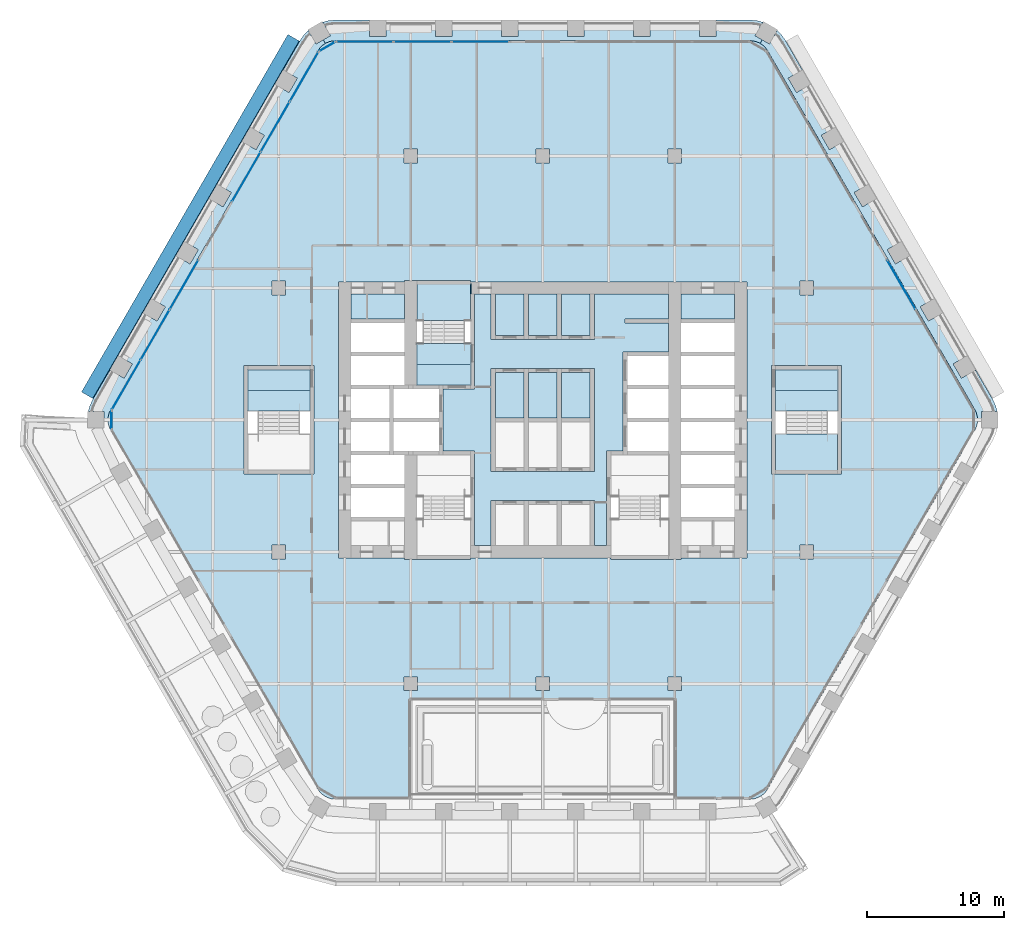
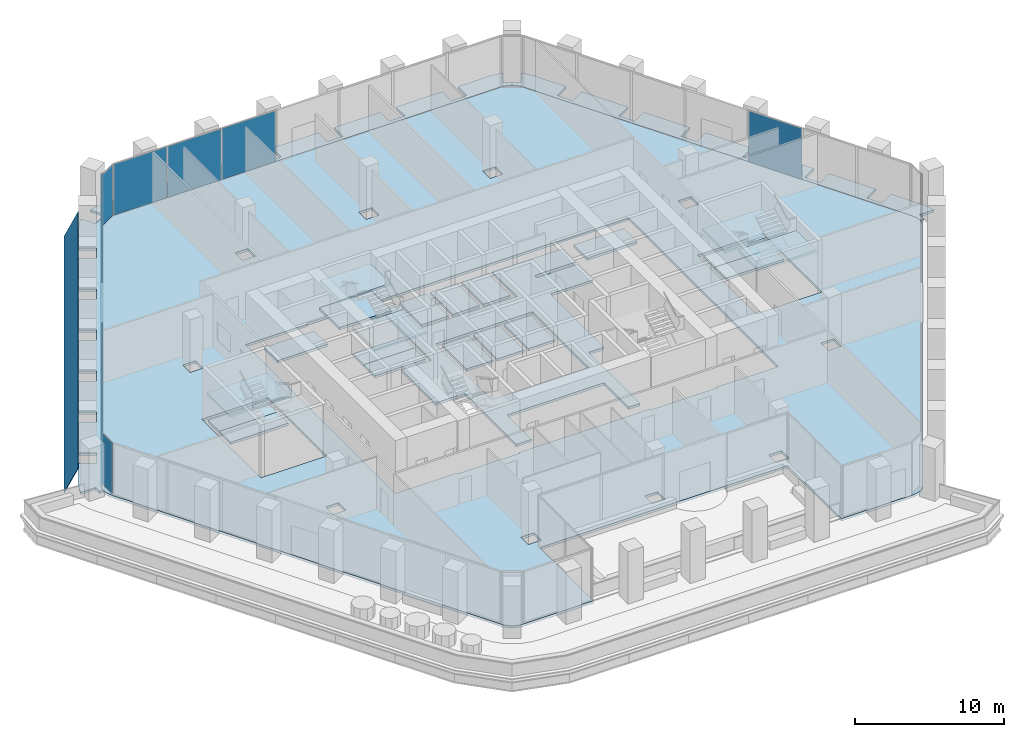
# One storey, part 14 of 27: 25 slabs, 13 plates, 9 elements without a shape of their own.
"""IFC4 building model written with IfcOpenShell, lengths in metres."""

import ifcopenshell
import ifcopenshell.guid

model = None  # the IFC model being written
_history = None  # IfcOwnerHistory: only IFC2X3 demands one
_inside = {}  # id of a spatial element -> (the spatial element, [elements in it])
_under = {}  # id of a project, library or spatial element -> (it, [spatial elements below it])
_declared = {}  # id of a project -> (the project, [libraries it declares])
_typed = {}  # id of a type object -> (the type object, [elements of that type])
_made_of = {}  # id of a material, layer set ... -> (it, [elements and type objects made of it])


def new_model(schema):
    """Start an empty IFC model of exactly this schema.

    Asked for "IFC4X3", IfcOpenShell would pick the latest addendum, in which some entities
    have other attributes; the version numbers below select the first issue.
    IFC2X3 requires an IfcOwnerHistory on every rooted entity: one is made here for all.
    """
    global model, _history
    if schema == "IFC4X3":
        model = ifcopenshell.file(schema_version=(4, 3, 0, 0))
    else:
        model = ifcopenshell.file(schema=schema)
    _inside.clear()
    _under.clear()
    _declared.clear()
    _typed.clear()
    _made_of.clear()
    _history = None
    if model.schema == "IFC2X3":
        org = make("IfcOrganization", Name="unknown")
        user = make(
            "IfcPersonAndOrganization",
            ThePerson=make("IfcPerson", FamilyName="unknown"),
            TheOrganization=org,
        )
        app = make(
            "IfcApplication",
            ApplicationDeveloper=org,
            Version="unknown",
            ApplicationFullName="unknown",
            ApplicationIdentifier="unknown",
        )
        _history = make(
            "IfcOwnerHistory",
            OwningUser=user,
            OwningApplication=app,
            ChangeAction="ADDED",
            CreationDate=0,
        )
    return model


def make(cls, **values):
    """One entity of the class cls with the attributes given. An attribute that is None is left unset."""
    return model.create_entity(
        cls, **{name: value for name, value in values.items() if value is not None}
    )


def rooted(cls, **values):
    """An entity with a GlobalId (a new one), such as an element, a storey or a relation."""
    return make(cls, GlobalId=ifcopenshell.guid.new(), OwnerHistory=_history, **values)


def si_unit(unit_type, name, prefix=None):
    """IfcSIUnit, for example si_unit("LENGTHUNIT", "METRE", prefix="MILLI")."""
    return make("IfcSIUnit", UnitType=unit_type, Prefix=prefix, Name=name)


def assignment(units):
    """IfcUnitAssignment: the units of a project."""
    return None if units is None else make("IfcUnitAssignment", Units=units)


def point(xyz):
    """IfcCartesianPoint."""
    return None if xyz is None else make("IfcCartesianPoint", Coordinates=xyz)


def direction(xyz):
    """IfcDirection."""
    return None if xyz is None else make("IfcDirection", DirectionRatios=xyz)


def frame(location, z_axis=None, x_axis=None):
    """IfcAxis2Placement3D, a coordinate frame: its origin and axes. An axis left out is left unset."""
    return make(
        "IfcAxis2Placement3D",
        Location=point(location),
        Axis=direction(z_axis),
        RefDirection=direction(x_axis),
    )


def frame_2d(location, x_axis=None):
    """IfcAxis2Placement2D, a coordinate frame in the plane: its origin and x axis."""
    return make(
        "IfcAxis2Placement2D", Location=point(location), RefDirection=direction(x_axis)
    )


def origin():
    """The frame at (0, 0, 0) with its axes left unset."""
    return frame((0.0, 0.0, 0.0))


def origin_2d():
    """The frame at (0, 0) in the plane with its x axis left unset."""
    return frame_2d((0.0, 0.0))


def place(relative_to, where):
    """IfcLocalPlacement: puts the frame where relative to a parent placement (None: the world)."""
    return make(
        "IfcLocalPlacement", PlacementRelTo=relative_to, RelativePlacement=where
    )


def context(
    kind, dimensions, precision=None, world=None, true_north=None, identifier=None
):
    """IfcGeometricRepresentationContext, for example the 3D "Model" context."""
    return make(
        "IfcGeometricRepresentationContext",
        ContextIdentifier=identifier,
        ContextType=kind,
        CoordinateSpaceDimension=dimensions,
        Precision=precision,
        WorldCoordinateSystem=world,
        TrueNorth=true_north,
    )


def subcontext(parent, identifier, kind, view, scale=None):
    """IfcGeometricRepresentationSubContext, for example "Body" below "Model"."""
    return make(
        "IfcGeometricRepresentationSubContext",
        ContextIdentifier=identifier,
        ContextType=kind,
        ParentContext=parent,
        TargetScale=scale,
        TargetView=view,
    )


def project(units=None, contexts=None):
    """IfcProject with its units and contexts."""
    return rooted(
        "IfcProject",
        Name="project",
        RepresentationContexts=contexts,
        UnitsInContext=assignment(units),
    )


def spatial(cls, under=None, at=None, **own):
    """A site, building, storey or space (cls), placed at a placement, below another one or the project."""
    s = rooted(cls, ObjectPlacement=at, **own)
    if under is not None:
        _under.setdefault(under.id(), (under, []))[1].append(s)
    return s


def polyline(points):
    """IfcPolyline through the points."""
    return make("IfcPolyline", Points=[point(p) for p in points])


def profile(cls, at=None, kind="AREA", **sizes):
    """A parametric profile (cls). Its sizes go by their IFC names, for example OverallWidth=200.0."""
    return make(cls, ProfileType=kind, Position=at, **sizes)


def rectangle(**sizes):
    """IfcRectangleProfileDef."""
    return profile("IfcRectangleProfileDef", **sizes)


def outline(outer, holes=None, kind="AREA"):
    """IfcArbitraryClosedProfileDef: a profile drawn as a closed curve; with holes, ...WithVoids."""
    if holes is None:
        return make("IfcArbitraryClosedProfileDef", ProfileType=kind, OuterCurve=outer)
    return make(
        "IfcArbitraryProfileDefWithVoids",
        ProfileType=kind,
        OuterCurve=outer,
        InnerCurves=holes,
    )


def extrude(swept, where, along, depth):
    """IfcExtrudedAreaSolid: the profile swept, set in the frame where, extruded along a direction by depth."""
    return make(
        "IfcExtrudedAreaSolid",
        SweptArea=swept,
        Position=where,
        ExtrudedDirection=direction(along),
        Depth=depth,
    )


def shape(context_of_items, identifier, shape_type, items):
    """IfcShapeRepresentation: the items that make up one representation, for example the "Body"."""
    return make(
        "IfcShapeRepresentation",
        ContextOfItems=context_of_items,
        RepresentationIdentifier=identifier,
        RepresentationType=shape_type,
        Items=items,
    )


def material(Name=None, Category=None):
    """IfcMaterial."""
    return make("IfcMaterial", Name=Name, Category=Category)


def layer(
    of_material, thickness, ventilated=None, Name=None, Category=None, Priority=None
):
    """IfcMaterialLayer: one layer of a wall or slab, of a material (None: an air gap)."""
    return make(
        "IfcMaterialLayer",
        Material=of_material,
        LayerThickness=thickness,
        IsVentilated=ventilated,
        Name=Name,
        Category=Category,
        Priority=Priority,
    )


def layer_set(layers, Name=None):
    """IfcMaterialLayerSet."""
    return make("IfcMaterialLayerSet", MaterialLayers=layers, LayerSetName=Name)


def made_of(thing, what):
    """Note that an element or type object is made of a material, layer set ...; save() writes the relation."""
    if what is not None:
        _made_of.setdefault(what.id(), (what, []))[1].append(thing)
    return thing


def type_object(cls, material=None, **own):
    """A type object (cls), such as IfcWallType, which elements share."""
    return made_of(rooted(cls, **own), material)


def element(
    cls,
    number,
    at=None,
    inside=None,
    cuts=None,
    type_object=None,
    material=None,
    context=None,
    identifier="Body",
    shape_type=None,
    held_by="IfcProductDefinitionShape",
    body=None,
    shapes=None,
    **own,
):
    """One element of the class cls, such as IfcWall. Its Tag is "e" and its number.

    at: its placement. inside: the storey or other place that contains it. cuts: it is an
    opening in that element (IfcRelVoidsElement). A single representation is given by context,
    identifier, shape_type and body (its items); several are given by shapes. held_by: the class
    of the entity that holds the representations. save() writes the other relations.
    """
    e = rooted(cls, Tag="e%d" % number, ObjectPlacement=at, **own)
    if body is not None:
        shapes = [shape(context, identifier, shape_type, body)]
    if shapes is not None:
        e.Representation = make(held_by, Representations=shapes)
    if inside is not None:
        _inside.setdefault(inside.id(), (inside, []))[1].append(e)
    if cuts is not None:
        rooted(
            "IfcRelVoidsElement", RelatingBuildingElement=cuts, RelatedOpeningElement=e
        )
    if type_object is not None:
        _typed.setdefault(type_object.id(), (type_object, []))[1].append(e)
    return made_of(e, material)


def aggregate(whole, parts):
    """IfcRelAggregates: a whole, such as a stair, and the parts it consists of."""
    return rooted("IfcRelAggregates", RelatingObject=whole, RelatedObjects=parts)


def save(model, path):
    """Write the relations noted so far, then the file.

    IfcRelAggregates (storeys below a building ...), IfcRelContainedInSpatialStructure (elements
    in a storey), IfcRelDefinesByType, IfcRelAssociatesMaterial and IfcRelDeclares: one each for
    every whole, place, type object, material and project.
    """
    for whole, parts in _under.values():
        aggregate(whole, parts)
    for where, things in _inside.values():
        rooted(
            "IfcRelContainedInSpatialStructure",
            RelatedElements=things,
            RelatingStructure=where,
        )
    for kind, things in _typed.values():
        rooted("IfcRelDefinesByType", RelatedObjects=things, RelatingType=kind)
    for what, things in _made_of.values():
        rooted("IfcRelAssociatesMaterial", RelatedObjects=things, RelatingMaterial=what)
    for by, libraries in _declared.values():
        rooted("IfcRelDeclares", RelatingContext=by, RelatedDefinitions=libraries)
    model.write(path)


model = new_model("IFC4")

# Units and contexts
model_context = context("Model", 3, precision=1e-05, world=origin(), true_north=direction((0.0, 1.0)))
body_context = subcontext(model_context, "Body", "Model", "MODEL_VIEW")
ifc_project = project(units=[si_unit("LENGTHUNIT", "METRE"), si_unit("AREAUNIT", "SQUARE_METRE"), si_unit("VOLUMEUNIT", "CUBIC_METRE"), si_unit("PLANEANGLEUNIT", "RADIAN"), si_unit("MASSUNIT", "GRAM", prefix="KILO")], contexts=[model_context])

# Site, building, storey
site_placement = place(None, origin())
site = spatial("IfcSite", under=ifc_project, at=site_placement, CompositionType="ELEMENT")
building_placement = place(site_placement, origin())
building = spatial("IfcBuilding", under=site, at=building_placement, Name="Kolab Exchange Tower", CompositionType="ELEMENT")
storey_placement = place(building_placement, frame((0.0, 0.0, 109.39990234375)))
storey = spatial("IfcBuildingStorey", under=building, at=storey_placement, Name="L21", CompositionType="ELEMENT", Elevation=109.39990234375)

# Slabs
ifc_material_1 = material(Name="Concrete C35/45", Category="concrete")
ifc_layer_1 = layer(ifc_material_1, 0.199951171875)
ifc_layer_set_1 = layer_set([ifc_layer_1], Name="Concrete C35/45")
slab_type_1 = type_object("IfcSlabType", Name="FLOOR SLAB 200", PredefinedType="FLOOR", material=ifc_layer_set_1)
slab_1_placement = place(storey_placement, frame((0.0, 0.0, -0.199951171875)))
element("IfcSlab", 1, at=slab_1_placement, inside=storey, type_object=slab_type_1, Name="slab/L21/floor/0", PredefinedType="FLOOR", context=body_context, shape_type="SweptSolid", body=[
    extrude(outline(polyline([(-15.06787109375, -27.598388671875), (-9.60009765625, -27.598388671875), (-9.60009765625, -20.3984375), (9.60009765625, -20.3984375), (9.60009765625, -27.598388671875), (15.06787109375, -27.598388671875), (15.328369140625, -27.57568359375), (15.5810546875, -27.508056640625), (15.81787109375, -27.3974609375), (16.0322265625, -27.24755859375), (16.217041015625, -27.062744140625), (16.366943359375, -26.848388671875), (31.434814453125, -0.75), (31.54541015625, -0.512939453125), (31.613037109375, -0.260498046875), (31.635986328125, 0.0), (31.613037109375, 0.260498046875), (31.54541015625, 0.512939453125), (31.434814453125, 0.75), (16.366943359375, 26.848388671875), (16.217041015625, 27.062744140625), (16.0322265625, 27.24755859375), (15.81787109375, 27.3974609375), (15.5810546875, 27.508056640625), (15.328369140625, 27.57568359375), (15.06787109375, 27.598388671875), (-15.06787109375, 27.598388671875), (-15.328369140625, 27.57568359375), (-15.5810546875, 27.508056640625), (-15.81787109375, 27.3974609375), (-16.0322265625, 27.24755859375), (-16.217041015625, 27.062744140625), (-16.366943359375, 26.848388671875), (-31.434814453125, 0.75), (-31.54541015625, 0.512939453125), (-31.613037109375, 0.260498046875), (-31.635986328125, 0.0), (-31.613037109375, -0.260498046875), (-31.54541015625, -0.512939453125), (-31.434814453125, -0.75), (-16.366943359375, -26.848388671875), (-16.217041015625, -27.062744140625), (-16.0322265625, -27.24755859375), (-15.81787109375, -27.3974609375), (-15.5810546875, -27.508056640625), (-15.328369140625, -27.57568359375), (-15.06787109375, -27.598388671875)]), holes=[polyline([(-13.949951171875, -10.050048828125), (-14.85009765625, -10.050048828125), (-14.85009765625, 10.050048828125), (-13.949951171875, 10.050048828125), (-10.050048828125, 10.050048828125), (-10.050048828125, 10.14990234375), (-9.14990234375, 10.14990234375), (-5.25, 10.14990234375), (-5.25, 10.050048828125), (9.14990234375, 10.050048828125), (10.050048828125, 10.050048828125), (13.949951171875, 10.050048828125), (14.85009765625, 10.050048828125), (14.85009765625, -10.050048828125), (13.949951171875, -10.050048828125), (10.050048828125, -10.050048828125), (10.050048828125, -10.14990234375), (9.14990234375, -10.14990234375), (4.949951171875, -10.14990234375), (4.949951171875, -10.050048828125), (-5.25, -10.050048828125), (-5.25, -10.14990234375), (-9.14990234375, -10.14990234375), (-10.050048828125, -10.14990234375), (-10.050048828125, -10.050048828125), (-13.949951171875, -10.050048828125)]), polyline([(-18.699951171875, -9.10009765625), (-18.699951171875, -10.10009765625), (-19.699951171875, -10.10009765625), (-19.699951171875, -9.10009765625), (-18.699951171875, -9.10009765625)]), polyline([(-21.449951171875, -3.949951171875), (-21.75, -3.949951171875), (-21.75, 3.949951171875), (-21.449951171875, 3.949951171875), (-16.949951171875, 3.949951171875), (-16.64990234375, 3.949951171875), (-16.64990234375, -3.949951171875), (-16.949951171875, -3.949951171875), (-21.449951171875, -3.949951171875)]), polyline([(-18.699951171875, 10.10009765625), (-18.699951171875, 9.10009765625), (-19.699951171875, 9.10009765625), (-19.699951171875, 10.10009765625), (-18.699951171875, 10.10009765625)]), polyline([(-9.10009765625, -18.699951171875), (-9.10009765625, -19.699951171875), (-10.10009765625, -19.699951171875), (-10.10009765625, -18.699951171875), (-9.10009765625, -18.699951171875)]), polyline([(-9.10009765625, 19.699951171875), (-9.10009765625, 18.699951171875), (-10.10009765625, 18.699951171875), (-10.10009765625, 19.699951171875), (-9.10009765625, 19.699951171875)]), polyline([(9.10009765625, -18.699951171875), (10.10009765625, -18.699951171875), (10.10009765625, -19.699951171875), (9.10009765625, -19.699951171875), (9.10009765625, -18.699951171875)]), polyline([(-0.5, -18.699951171875), (0.5, -18.699951171875), (0.5, -19.699951171875), (-0.5, -19.699951171875), (-0.5, -18.699951171875)]), polyline([(0.5, 19.699951171875), (0.5, 18.699951171875), (-0.5, 18.699951171875), (-0.5, 19.699951171875), (0.5, 19.699951171875)]), polyline([(10.10009765625, 19.699951171875), (10.10009765625, 18.699951171875), (9.10009765625, 18.699951171875), (9.10009765625, 19.699951171875), (10.10009765625, 19.699951171875)]), polyline([(19.699951171875, -9.10009765625), (19.699951171875, -10.10009765625), (18.699951171875, -10.10009765625), (18.699951171875, -9.10009765625), (19.699951171875, -9.10009765625)]), polyline([(21.449951171875, 3.949951171875), (21.75, 3.949951171875), (21.75, -3.949951171875), (21.449951171875, -3.949951171875), (16.949951171875, -3.949951171875), (16.64990234375, -3.949951171875), (16.64990234375, 3.949951171875), (16.949951171875, 3.949951171875), (21.449951171875, 3.949951171875)]), polyline([(19.699951171875, 10.10009765625), (19.699951171875, 9.10009765625), (18.699951171875, 9.10009765625), (18.699951171875, 10.10009765625), (19.699951171875, 10.10009765625)])]), origin(), (0.0, 0.0, 1.0), 0.199951171875),
])
slab_2_placement = place(storey_placement, frame((0.0, 0.0, -0.199951171875)))
element("IfcSlab", 2, at=slab_2_placement, inside=storey, type_object=slab_type_1, Name="slab/L21/floor/1", PredefinedType="FLOOR", context=body_context, shape_type="SweptSolid", body=[
    extrude(outline(polyline([(-4.949951171875, 9.14990234375), (-4.949951171875, 2.25), (-5.25, 2.25), (-7.25, 2.25), (-7.25, -2.25), (-5.25, -2.25), (-4.949951171875, -2.25), (-4.949951171875, -9.14990234375), (-3.75, -9.14990234375), (-3.75, -5.85009765625), (-3.449951171875, -5.85009765625), (-1.35009765625, -5.85009765625), (-1.050048828125, -5.85009765625), (1.050048828125, -5.85009765625), (1.35009765625, -5.85009765625), (3.449951171875, -5.85009765625), (3.75, -5.85009765625), (3.75, -9.14990234375), (4.64990234375, -9.14990234375), (4.64990234375, -2.25), (4.949951171875, -2.25), (5.85009765625, -2.25), (5.85009765625, 4.949951171875), (6.14990234375, 4.949951171875), (9.14990234375, 4.949951171875), (9.14990234375, 7.050048828125), (6.0, 7.050048828125), (6.0, 7.35009765625), (9.14990234375, 7.35009765625), (9.14990234375, 9.14990234375), (3.75, 9.14990234375), (3.75, 5.85009765625), (3.449951171875, 5.85009765625), (1.35009765625, 5.85009765625), (1.050048828125, 5.85009765625), (-1.050048828125, 5.85009765625), (-1.35009765625, 5.85009765625), (-3.449951171875, 5.85009765625), (-3.75, 5.85009765625), (-3.75, 9.14990234375), (-4.949951171875, 9.14990234375)]), holes=[polyline([(-3.75, -3.75), (-3.75, 3.75), (-3.449951171875, 3.75), (-1.35009765625, 3.75), (-1.050048828125, 3.75), (1.050048828125, 3.75), (1.35009765625, 3.75), (3.449951171875, 3.75), (3.75, 3.75), (3.75, -3.75), (3.449951171875, -3.75), (1.35009765625, -3.75), (1.050048828125, -3.75), (-1.050048828125, -3.75), (-1.35009765625, -3.75), (-3.449951171875, -3.75), (-3.75, -3.75)])]), origin(), (0.0, 0.0, 1.0), 0.199951171875),
])
slab_3_placement = place(storey_placement, frame((0.0, 0.0, -0.199951171875)))
element("IfcSlab", 3, at=slab_3_placement, inside=storey, type_object=slab_type_1, Name="slab/L21/floor/3", PredefinedType="FLOOR", context=body_context, shape_type="SweptSolid", body=[
    extrude(outline(polyline([(-10.050048828125, 9.14990234375), (-13.949951171875, 9.14990234375), (-13.949951171875, 7.35009765625), (-10.050048828125, 7.35009765625), (-10.050048828125, 9.14990234375)])), origin(), (0.0, 0.0, 1.0), 0.199951171875),
])
slab_4_placement = place(storey_placement, frame((0.0, 0.0, -0.199951171875)))
element("IfcSlab", 4, at=slab_4_placement, inside=storey, type_object=slab_type_1, Name="slab/L21/floor/5", PredefinedType="FLOOR", context=body_context, shape_type="SweptSolid", body=[
    extrude(outline(polyline([(13.949951171875, 9.14990234375), (10.050048828125, 9.14990234375), (10.050048828125, 7.35009765625), (13.949951171875, 7.35009765625), (13.949951171875, 9.14990234375)])), origin(), (0.0, 0.0, 1.0), 0.199951171875),
])
slab_5_placement = place(storey_placement, frame((0.0, 0.0, -0.199951171875)))
element("IfcSlab", 5, at=slab_5_placement, inside=storey, type_object=slab_type_1, Name="slab/L21/floor/7", PredefinedType="FLOOR", context=body_context, shape_type="SweptSolid", body=[
    extrude(outline(polyline([(-1.35009765625, 0.14990234375), (-1.35009765625, 3.449951171875), (-3.449951171875, 3.449951171875), (-3.449951171875, 0.14990234375), (-1.35009765625, 0.14990234375)])), origin(), (0.0, 0.0, 1.0), 0.199951171875),
])
slab_6_placement = place(storey_placement, frame((0.0, 0.0, -0.199951171875)))
element("IfcSlab", 6, at=slab_6_placement, inside=storey, type_object=slab_type_1, Name="slab/L21/floor/9", PredefinedType="FLOOR", context=body_context, shape_type="SweptSolid", body=[
    extrude(outline(polyline([(-1.050048828125, 3.449951171875), (-1.050048828125, 0.14990234375), (1.050048828125, 0.14990234375), (1.050048828125, 3.449951171875), (-1.050048828125, 3.449951171875)])), origin(), (0.0, 0.0, 1.0), 0.199951171875),
])
slab_7_placement = place(storey_placement, frame((0.0, 0.0, -0.199951171875)))
element("IfcSlab", 7, at=slab_7_placement, inside=storey, type_object=slab_type_1, Name="slab/L21/floor/11", PredefinedType="FLOOR", context=body_context, shape_type="SweptSolid", body=[
    extrude(outline(polyline([(1.35009765625, 0.14990234375), (3.449951171875, 0.14990234375), (3.449951171875, 3.449951171875), (1.35009765625, 3.449951171875), (1.35009765625, 0.14990234375)])), origin(), (0.0, 0.0, 1.0), 0.199951171875),
])
slab_8_placement = place(storey_placement, frame((0.0, 0.0, -0.199951171875)))
element("IfcSlab", 8, at=slab_8_placement, inside=storey, type_object=slab_type_1, Name="slab/L21/floor/12", PredefinedType="FLOOR", context=body_context, shape_type="SweptSolid", body=[
    extrude(outline(polyline([(-21.449951171875, 3.64990234375), (-21.449951171875, 2.14990234375), (-16.949951171875, 2.14990234375), (-16.949951171875, 3.64990234375), (-21.449951171875, 3.64990234375)])), origin(), (0.0, 0.0, 1.0), 0.199951171875),
])
slab_9_placement = place(storey_placement, frame((0.0, 0.0, -0.199951171875)))
element("IfcSlab", 9, at=slab_9_placement, inside=storey, type_object=slab_type_1, Name="slab/L21/floor/13", PredefinedType="FLOOR", context=body_context, shape_type="SweptSolid", body=[
    extrude(outline(polyline([(21.449951171875, 3.64990234375), (16.949951171875, 3.64990234375), (16.949951171875, 2.14990234375), (21.449951171875, 2.14990234375), (21.449951171875, 3.64990234375)])), origin(), (0.0, 0.0, 1.0), 0.199951171875),
])
slab_10_placement = place(storey_placement, frame((0.0, 0.0, -0.199951171875)))
element("IfcSlab", 10, at=slab_10_placement, inside=storey, type_object=slab_type_1, Name="slab/L21/floor/15", PredefinedType="FLOOR", context=body_context, shape_type="SweptSolid", body=[
    extrude(outline(polyline([(-1.35009765625, 6.14990234375), (-1.35009765625, 9.14990234375), (-3.449951171875, 9.14990234375), (-3.449951171875, 6.14990234375), (-1.35009765625, 6.14990234375)])), origin(), (0.0, 0.0, 1.0), 0.199951171875),
])
slab_11_placement = place(storey_placement, frame((0.0, 0.0, -0.199951171875)))
element("IfcSlab", 11, at=slab_11_placement, inside=storey, type_object=slab_type_1, Name="slab/L21/floor/17", PredefinedType="FLOOR", context=body_context, shape_type="SweptSolid", body=[
    extrude(outline(polyline([(-1.050048828125, 9.14990234375), (-1.050048828125, 6.14990234375), (1.050048828125, 6.14990234375), (1.050048828125, 9.14990234375), (-1.050048828125, 9.14990234375)])), origin(), (0.0, 0.0, 1.0), 0.199951171875),
])
slab_12_placement = place(storey_placement, frame((0.0, 0.0, -0.199951171875)))
element("IfcSlab", 12, at=slab_12_placement, inside=storey, type_object=slab_type_1, Name="slab/L21/floor/19", PredefinedType="FLOOR", context=body_context, shape_type="SweptSolid", body=[
    extrude(outline(polyline([(1.35009765625, 6.14990234375), (3.449951171875, 6.14990234375), (3.449951171875, 9.14990234375), (1.35009765625, 9.14990234375), (1.35009765625, 6.14990234375)])), origin(), (0.0, 0.0, 1.0), 0.199951171875),
])
slab_13_placement = place(storey_placement, frame((0.0, 0.0, -0.199951171875)))
element("IfcSlab", 13, at=slab_13_placement, inside=storey, type_object=slab_type_1, Name="slab/L21/floor/22", PredefinedType="FLOOR", context=body_context, shape_type="SweptSolid", body=[
    extrude(outline(polyline([(-5.25, 4.050048828125), (-9.14990234375, 4.050048828125), (-9.14990234375, 2.550048828125), (-7.550048828125, 2.550048828125), (-7.25, 2.550048828125), (-5.25, 2.550048828125), (-5.25, 4.050048828125)])), origin(), (0.0, 0.0, 1.0), 0.199951171875),
])
ifc_layer_2 = layer(ifc_material_1, 0.199951171875)
ifc_layer_set_2 = layer_set([ifc_layer_2], Name="Concrete C35/45")
slab_type_2 = type_object("IfcSlabType", Name="LOGGIA SLAB 200", PredefinedType="FLOOR", material=ifc_layer_set_2)
slab_14_placement = place(storey_placement, frame((0.0, 0.0, -0.199951171875)))
element("IfcSlab", 14, at=slab_14_placement, inside=storey, type_object=slab_type_2, Name="slab/L21/loggia/0-0", PredefinedType="FLOOR", context=body_context, shape_type="SweptSolid", body=[
    extrude(outline(polyline([(15.5810546875, 27.508056640625), (15.81787109375, 27.3974609375), (15.968017578125, 27.6572265625), (15.4482421875, 27.957275390625), (16.014892578125, 28.938720703125), (15.5888671875, 29.052978515625), (15.06787109375, 29.098388671875), (12.60009765625, 29.098388671875), (12.60009765625, 27.8984375), (11.39990234375, 27.8984375), (11.39990234375, 29.098388671875), (7.800048828125, 29.098388671875), (7.800048828125, 27.8984375), (6.60009765625, 27.8984375), (6.60009765625, 29.098388671875), (3.0, 29.098388671875), (3.0, 27.8984375), (1.800048828125, 27.8984375), (1.800048828125, 29.098388671875), (-1.800048828125, 29.098388671875), (-1.800048828125, 27.8984375), (-3.0, 27.8984375), (-3.0, 29.098388671875), (-6.60009765625, 29.098388671875), (-6.60009765625, 27.8984375), (-7.800048828125, 27.8984375), (-7.800048828125, 29.098388671875), (-11.39990234375, 29.098388671875), (-11.39990234375, 27.8984375), (-12.60009765625, 27.8984375), (-12.60009765625, 29.098388671875), (-15.06787109375, 29.098388671875), (-15.5888671875, 29.052978515625), (-16.014892578125, 28.938720703125), (-15.4482421875, 27.957275390625), (-15.968017578125, 27.6572265625), (-15.81787109375, 27.3974609375), (-15.5810546875, 27.508056640625), (-15.328369140625, 27.57568359375), (-15.06787109375, 27.598388671875), (15.06787109375, 27.598388671875), (15.328369140625, 27.57568359375), (15.5810546875, 27.508056640625)])), origin(), (0.0, 0.0, 1.0), 0.199951171875),
])
slab_15_placement = place(storey_placement, frame((0.0, 0.0, -0.199951171875)))
element("IfcSlab", 15, at=slab_15_placement, inside=storey, type_object=slab_type_2, Name="slab/L21/loggia/1-0", PredefinedType="FLOOR", context=body_context, shape_type="SweptSolid", body=[
    extrude(outline(polyline([(31.613037109375, 0.260498046875), (31.635986328125, 0.0), (31.935791015625, 0.0), (31.935791015625, 0.60009765625), (33.069091796875, 0.60009765625), (32.955078125, 1.026123046875), (32.73388671875, 1.5), (31.5, 3.63720703125), (30.460693359375, 3.037353515625), (29.86083984375, 4.076416015625), (30.89990234375, 4.676513671875), (29.10009765625, 7.794189453125), (28.060791015625, 7.1943359375), (27.460693359375, 8.2333984375), (28.5, 8.83349609375), (26.699951171875, 11.951171875), (25.660888671875, 11.35107421875), (25.060791015625, 12.390380859375), (26.10009765625, 12.990478515625), (24.300048828125, 16.108154296875), (23.2607421875, 15.508056640625), (22.660888671875, 16.54736328125), (23.699951171875, 17.147216796875), (21.89990234375, 20.264892578125), (20.86083984375, 19.6650390625), (20.2607421875, 20.704345703125), (21.300048828125, 21.30419921875), (19.5, 24.421875), (18.460693359375, 23.822021484375), (17.86083984375, 24.861083984375), (18.89990234375, 25.461181640625), (17.666015625, 27.598388671875), (17.365966796875, 28.02685546875), (17.05419921875, 28.338623046875), (16.487548828125, 27.357177734375), (15.968017578125, 27.6572265625), (15.81787109375, 27.3974609375), (16.0322265625, 27.24755859375), (16.217041015625, 27.062744140625), (16.366943359375, 26.848388671875), (31.434814453125, 0.75), (31.54541015625, 0.512939453125), (31.613037109375, 0.260498046875)])), origin(), (0.0, 0.0, 1.0), 0.199951171875),
])
slab_16_placement = place(storey_placement, frame((0.0, 0.0, -0.199951171875)))
element("IfcSlab", 16, at=slab_16_placement, inside=storey, type_object=slab_type_2, Name="slab/L21/loggia/5-0", PredefinedType="FLOOR", context=body_context, shape_type="SweptSolid", body=[
    extrude(outline(polyline([(-16.0322265625, 27.24755859375), (-15.81787109375, 27.3974609375), (-15.968017578125, 27.6572265625), (-16.487548828125, 27.357177734375), (-17.05419921875, 28.338623046875), (-17.365966796875, 28.02685546875), (-17.666015625, 27.598388671875), (-18.89990234375, 25.461181640625), (-17.86083984375, 24.861083984375), (-18.460693359375, 23.822021484375), (-19.5, 24.421875), (-21.300048828125, 21.30419921875), (-20.2607421875, 20.704345703125), (-20.86083984375, 19.6650390625), (-21.89990234375, 20.264892578125), (-23.699951171875, 17.147216796875), (-22.660888671875, 16.54736328125), (-23.2607421875, 15.508056640625), (-24.300048828125, 16.108154296875), (-26.10009765625, 12.990478515625), (-25.060791015625, 12.390380859375), (-25.660888671875, 11.35107421875), (-26.699951171875, 11.951171875), (-28.5, 8.83349609375), (-27.460693359375, 8.2333984375), (-28.060791015625, 7.1943359375), (-29.10009765625, 7.794189453125), (-30.89990234375, 4.676513671875), (-29.86083984375, 4.076416015625), (-30.460693359375, 3.037353515625), (-31.5, 3.63720703125), (-32.73388671875, 1.5), (-32.955078125, 1.026123046875), (-33.069091796875, 0.60009765625), (-31.935791015625, 0.60009765625), (-31.935791015625, 0.091064453125), (-31.62939453125, 0.07568359375), (-31.613037109375, 0.260498046875), (-31.54541015625, 0.512939453125), (-31.434814453125, 0.75), (-16.366943359375, 26.848388671875), (-16.217041015625, 27.062744140625), (-16.0322265625, 27.24755859375)])), origin(), (0.0, 0.0, 1.0), 0.199951171875),
])

# Plate
ifc_material_2 = material(Name="Laminated glass, clear", Category="glass")
ifc_layer_3 = layer(ifc_material_2, 0.0400390625)
ifc_layer_set_3 = layer_set([ifc_layer_3], Name="Laminated glass, clear")
plate_type_1 = type_object("IfcPlateType", Name="OUTER SKIN LAMINATED GLASS SHEET 40", PredefinedType="SHEET", material=ifc_layer_set_3)
plate_1_placement = place(storey_placement, frame((-33.55810546875, 2.033447265625, -0.73291015625), z_axis=(-0.78488749746, 0.453155039209, 0.422613448403), x_axis=(0.499999167166, 0.866025884618, -2.126414e-06)))
element("IfcPlate", 17, at=plate_1_placement, inside=storey, type_object=plate_type_1, Name="Outer skin", PredefinedType="SHEET", context=body_context, shape_type="SweptSolid", body=[
    extrude(outline(polyline([(0.0, 0.0), (30.035931798469555, 0.0), (30.035952675587897, -2.234297472395734), (0.00011023910991124468, -2.234156530048972), (0.0, 0.0)])), origin(), (0.0, 0.0, -1.0), 0.0400390625),
])

# Stair, slabs
ifc_material_3 = material(Name="Concrete C50/60", Category="concrete")
stair_type_1 = type_object("IfcStairType", Name="STAIR ST1 RISER 160.7", PredefinedType="DOUBLE_RETURN_STAIR", material=ifc_material_3)
stair_1_placement = place(storey_placement, origin())
stair_1 = element("IfcStair", 18, at=stair_1_placement, inside=storey, type_object=stair_type_1, Name="Stair 1", PredefinedType="DOUBLE_RETURN_STAIR")
ifc_layer_4 = layer(ifc_material_3, 0.199951171875)
ifc_layer_set_4 = layer_set([ifc_layer_4], Name="Concrete C50/60")
slab_type_3 = type_object("IfcSlabType", Name="STAIR LANDING 200", PredefinedType="LANDING", material=ifc_layer_set_4)
slab_17_placement = place(storey_placement, frame((0.0, 0.0, -0.199951171875)))
slab_17 = element("IfcSlab", 19, at=slab_17_placement, type_object=slab_type_3, Name="ST1 landing 1", PredefinedType="LANDING", context=body_context, shape_type="SweptSolid", body=[
    extrude(outline(polyline([(-9.14990234375, 4.050048828125), (-5.25, 4.050048828125), (-5.25, 5.550048828125), (-9.14990234375, 5.550048828125), (-9.14990234375, 4.050048828125)])), origin(), (0.0, 0.0, 1.0), 0.199951171875),
])
slab_18_placement = place(storey_placement, frame((0.0, 0.0, 0.925048828125)))
slab_18 = element("IfcSlab", 20, at=slab_18_placement, type_object=slab_type_3, Name="ST1 landing 2", PredefinedType="LANDING", context=body_context, shape_type="SweptSolid", body=[
    extrude(outline(polyline([(-9.2099609375, 7.22998046875), (-5.18994140625, 7.22998046875), (-5.18994140625, 9.909912109375), (-9.2099609375, 9.909912109375), (-9.2099609375, 7.22998046875)])), origin(), (0.0, 0.0, 1.0), 0.199951171875),
])
slab_19_placement = place(storey_placement, frame((0.0, 0.0, 2.050048828125)))
slab_19 = element("IfcSlab", 21, at=slab_19_placement, type_object=slab_type_3, Name="ST1 landing 3", PredefinedType="LANDING", context=body_context, shape_type="SweptSolid", body=[
    extrude(outline(polyline([(-9.2099609375, 2.489990234375), (-5.18994140625, 2.489990234375), (-5.18994140625, 5.550048828125), (-9.2099609375, 5.550048828125), (-9.2099609375, 2.489990234375)])), origin(), (0.0, 0.0, 1.0), 0.199951171875),
])
slab_20_placement = place(storey_placement, frame((0.0, 0.0, 3.175048828125)))
slab_20 = element("IfcSlab", 22, at=slab_20_placement, type_object=slab_type_3, Name="ST1 landing 4", PredefinedType="LANDING", context=body_context, shape_type="SweptSolid", body=[
    extrude(outline(polyline([(-9.14990234375, 7.22998046875), (-5.25, 7.22998046875), (-5.25, 9.909912109375), (-9.14990234375, 9.909912109375), (-9.14990234375, 7.22998046875)])), origin(), (0.0, 0.0, 1.0), 0.199951171875),
])
aggregate(stair_1, [slab_17, slab_18, slab_19, slab_20])

stair_type_2 = type_object("IfcStairType", Name="STAIR ST4 RISER 160.7", PredefinedType="DOUBLE_RETURN_STAIR", material=ifc_material_3)
stair_2_placement = place(storey_placement, origin())
stair_2 = element("IfcStair", 23, at=stair_2_placement, inside=storey, type_object=stair_type_2, Name="Stair 4", PredefinedType="DOUBLE_RETURN_STAIR")
slab_21_placement = place(storey_placement, frame((0.0, 0.0, -0.199951171875)))
slab_21 = element("IfcSlab", 24, at=slab_21_placement, type_object=slab_type_3, Name="ST4 landing 1", PredefinedType="LANDING", context=body_context, shape_type="SweptSolid", body=[
    extrude(outline(polyline([(16.949951171875, 0.64990234375), (21.449951171875, 0.64990234375), (21.449951171875, 2.14990234375), (16.949951171875, 2.14990234375), (16.949951171875, 0.64990234375)])), origin(), (0.0, 0.0, 1.0), 0.199951171875),
])
slab_22_placement = place(storey_placement, frame((0.0, 0.0, 2.050048828125)))
slab_22 = element("IfcSlab", 25, at=slab_22_placement, type_object=slab_type_3, Name="ST4 landing 3", PredefinedType="LANDING", context=body_context, shape_type="SweptSolid", body=[
    extrude(outline(polyline([(16.889892578125, 0.64990234375), (21.510009765625, 0.64990234375), (21.510009765625, 3.7099609375), (16.889892578125, 3.7099609375), (16.889892578125, 0.64990234375)])), origin(), (0.0, 0.0, 1.0), 0.199951171875),
])
slab_23_placement = place(storey_placement, frame((0.0, 0.0, 3.175048828125)))
slab_23 = element("IfcSlab", 26, at=slab_23_placement, type_object=slab_type_3, Name="ST4 landing 4", PredefinedType="LANDING", context=body_context, shape_type="SweptSolid", body=[
    extrude(outline(polyline([(16.949951171875, -3.7099609375), (21.449951171875, -3.7099609375), (21.449951171875, -1.030029296875), (16.949951171875, -1.030029296875), (16.949951171875, -3.7099609375)])), origin(), (0.0, 0.0, 1.0), 0.199951171875),
])
aggregate(stair_2, [slab_21, slab_22, slab_23])

stair_type_3 = type_object("IfcStairType", Name="STAIR ST5 RISER 160.7", PredefinedType="DOUBLE_RETURN_STAIR", material=ifc_material_3)
stair_3_placement = place(storey_placement, origin())
stair_3 = element("IfcStair", 27, at=stair_3_placement, inside=storey, type_object=stair_type_3, Name="Stair 5", PredefinedType="DOUBLE_RETURN_STAIR")
slab_24_placement = place(storey_placement, frame((0.0, 0.0, -0.199951171875)))
slab_24 = element("IfcSlab", 28, at=slab_24_placement, type_object=slab_type_3, Name="ST5 landing 1", PredefinedType="LANDING", context=body_context, shape_type="SweptSolid", body=[
    extrude(outline(polyline([(-21.449951171875, 0.64990234375), (-16.949951171875, 0.64990234375), (-16.949951171875, 2.14990234375), (-21.449951171875, 2.14990234375), (-21.449951171875, 0.64990234375)])), origin(), (0.0, 0.0, 1.0), 0.199951171875),
])
slab_25_placement = place(storey_placement, frame((0.0, 0.0, 2.050048828125)))
slab_25 = element("IfcSlab", 29, at=slab_25_placement, type_object=slab_type_3, Name="ST5 landing 3", PredefinedType="LANDING", context=body_context, shape_type="SweptSolid", body=[
    extrude(outline(polyline([(-21.510009765625, 0.64990234375), (-16.889892578125, 0.64990234375), (-16.889892578125, 3.7099609375), (-21.510009765625, 3.7099609375), (-21.510009765625, 0.64990234375)])), origin(), (0.0, 0.0, 1.0), 0.199951171875),
])
aggregate(stair_3, [slab_24, slab_25])

# Curtain wall, plates
ifc_material_4 = material(Name="Aluminium EN AW-6063 T6", Category="aluminium")
curtain_wall_type = type_object("IfcCurtainWallType", Name="UNITISED LOWER MID ZONE CURTAIN WALL", PredefinedType="NOTDEFINED", material=ifc_material_4)
curtain_wall_1_placement = place(storey_placement, origin())
curtain_wall_1 = element("IfcCurtainWall", 30, at=curtain_wall_1_placement, inside=storey, type_object=curtain_wall_type, Name="cw/L21/F1-1", PredefinedType="NOTDEFINED")
ifc_material_5 = material(Name="Clear insulated glazing unit", Category="glass")
ifc_layer_5 = layer(ifc_material_5, 0.02587890625)
ifc_layer_set_5 = layer_set([ifc_layer_5], Name="Clear insulated glazing unit")
plate_type_2 = type_object("IfcPlateType", Name="UNITISED LOWER MID ZONE GLASS PANEL 26", PredefinedType="CURTAIN_PANEL", material=ifc_layer_set_5)
plate_2_placement = place(storey_placement, frame((-12.941650390625, 27.5185546875, 0.06005859375), z_axis=(0.0, 0.0, 1.0), x_axis=(1.0, 0.0, 0.0)))
plate_2 = element("IfcPlate", 31, at=plate_2_placement, type_object=plate_type_2, Name="CW2 panel 1.1", PredefinedType="CURTAIN_PANEL", context=body_context, shape_type="SweptSolid", body=[
    extrude(rectangle(XDim=4.132568359375, YDim=0.02587890625, at=origin_2d()), origin(), (0.0, 0.0, 1.0), 4.179931640625),
])
plate_3_placement = place(storey_placement, frame((-8.73388671875, 27.5185546875, 0.06005859375), z_axis=(0.0, 0.0, 1.0), x_axis=(1.0, 0.0, 0.0)))
plate_3 = element("IfcPlate", 32, at=plate_3_placement, type_object=plate_type_2, Name="CW2 panel 2.1", PredefinedType="CURTAIN_PANEL", context=body_context, shape_type="SweptSolid", body=[
    extrude(rectangle(XDim=4.16259765625, YDim=0.02587890625, at=origin_2d()), origin(), (0.0, 0.0, 1.0), 4.179931640625),
])
plate_4_placement = place(storey_placement, frame((-4.5263671875, 27.5185546875, 0.06005859375), z_axis=(0.0, 0.0, 1.0), x_axis=(1.0, 0.0, 0.0)))
plate_4 = element("IfcPlate", 33, at=plate_4_placement, type_object=plate_type_2, Name="CW2 panel 3.1", PredefinedType="CURTAIN_PANEL", context=body_context, shape_type="SweptSolid", body=[
    extrude(rectangle(XDim=4.132568359375, YDim=0.02587890625, at=origin_2d()), origin(), (0.0, 0.0, 1.0), 4.179931640625),
])
aggregate(curtain_wall_1, [plate_2, plate_3, plate_4])

# Curtain wall, plate
curtain_wall_2_placement = place(storey_placement, origin())
curtain_wall_2 = element("IfcCurtainWall", 34, at=curtain_wall_2_placement, inside=storey, type_object=curtain_wall_type, Name="cw/L21/F2-2", PredefinedType="NOTDEFINED")
plate_5_placement = place(storey_placement, frame((26.0947265625, 9.83935546875, 0.06005859375), z_axis=(0.0, 0.0, 1.0), x_axis=(0.499999958358, -0.866025427826, 0.0)))
plate_5 = element("IfcPlate", 35, at=plate_5_placement, type_object=plate_type_2, Name="CW2 panel 1.1", PredefinedType="CURTAIN_PANEL", context=body_context, shape_type="SweptSolid", body=[
    extrude(rectangle(XDim=4.132568359375, YDim=0.02587890625, at=origin_2d()), origin(), (0.0, 0.0, 1.0), 4.179931640625),
])
aggregate(curtain_wall_2, [plate_5])

# Curtain wall, plates
curtain_wall_3_placement = place(storey_placement, origin())
curtain_wall_3 = element("IfcCurtainWall", 36, at=curtain_wall_3_placement, inside=storey, type_object=curtain_wall_type, Name="cw/L21/F6-1", PredefinedType="NOTDEFINED")
plate_6_placement = place(storey_placement, frame((-30.302490234375, 2.551513671875, 0.06005859375), z_axis=(0.0, 0.0, 1.0), x_axis=(0.499999958358, 0.866025427826, 0.0)))
plate_6 = element("IfcPlate", 37, at=plate_6_placement, type_object=plate_type_2, Name="CW2 panel 1.1", PredefinedType="CURTAIN_PANEL", context=body_context, shape_type="SweptSolid", body=[
    extrude(rectangle(XDim=4.132568359375, YDim=0.02587890625, at=origin_2d()), origin(), (0.0, 0.0, 1.0), 4.179931640625),
])
plate_7_placement = place(storey_placement, frame((-28.19873046875, 6.1953125, 0.06005859375), z_axis=(0.0, 0.0, 1.0), x_axis=(0.499999958358, 0.866025427826, 0.0)))
plate_7 = element("IfcPlate", 38, at=plate_7_placement, type_object=plate_type_2, Name="CW2 panel 2.1", PredefinedType="CURTAIN_PANEL", context=body_context, shape_type="SweptSolid", body=[
    extrude(rectangle(XDim=4.16259765625, YDim=0.02587890625, at=origin_2d()), origin(), (0.0, 0.0, 1.0), 4.179931640625),
])
plate_8_placement = place(storey_placement, frame((-26.0947265625, 9.83935546875, 0.06005859375), z_axis=(0.0, 0.0, 1.0), x_axis=(0.499999958358, 0.866025427826, 0.0)))
plate_8 = element("IfcPlate", 39, at=plate_8_placement, type_object=plate_type_2, Name="CW2 panel 3.1", PredefinedType="CURTAIN_PANEL", context=body_context, shape_type="SweptSolid", body=[
    extrude(rectangle(XDim=4.132568359375, YDim=0.02587890625, at=origin_2d()), origin(), (0.0, 0.0, 1.0), 4.179931640625),
])
aggregate(curtain_wall_3, [plate_6, plate_7, plate_8])

curtain_wall_4_placement = place(storey_placement, origin())
curtain_wall_4 = element("IfcCurtainWall", 40, at=curtain_wall_4_placement, inside=storey, type_object=curtain_wall_type, Name="cw/L21/F6-2", PredefinedType="NOTDEFINED")
plate_9_placement = place(storey_placement, frame((-21.568603515625, 17.67919921875, 0.06005859375), z_axis=(0.0, 0.0, 1.0), x_axis=(0.500000017564, 0.866025393644, 0.0)))
plate_9 = element("IfcPlate", 41, at=plate_9_placement, type_object=plate_type_2, Name="CW2 panel 1.1", PredefinedType="CURTAIN_PANEL", context=body_context, shape_type="SweptSolid", body=[
    extrude(rectangle(XDim=4.132568359375, YDim=0.02587890625, at=origin_2d()), origin(), (0.0, 0.0, 1.0), 4.179931640625),
])
plate_10_placement = place(storey_placement, frame((-19.464599609375, 21.322998046875, 0.06005859375), z_axis=(0.0, 0.0, 1.0), x_axis=(0.500000017564, 0.866025393644, 0.0)))
plate_10 = element("IfcPlate", 42, at=plate_10_placement, type_object=plate_type_2, Name="CW2 panel 2.1", PredefinedType="CURTAIN_PANEL", context=body_context, shape_type="SweptSolid", body=[
    extrude(rectangle(XDim=4.16259765625, YDim=0.02587890625, at=origin_2d()), origin(), (0.0, 0.0, 1.0), 4.179931640625),
])
plate_11_placement = place(storey_placement, frame((-17.36083984375, 24.967041015625, 0.06005859375), z_axis=(0.0, 0.0, 1.0), x_axis=(0.500000017564, 0.866025393644, 0.0)))
plate_11 = element("IfcPlate", 43, at=plate_11_placement, type_object=plate_type_2, Name="CW2 panel 3.1", PredefinedType="CURTAIN_PANEL", context=body_context, shape_type="SweptSolid", body=[
    extrude(rectangle(XDim=4.132568359375, YDim=0.02587890625, at=origin_2d()), origin(), (0.0, 0.0, 1.0), 4.179931640625),
])
aggregate(curtain_wall_4, [plate_9, plate_10, plate_11])

# Curtain wall, plate
curtain_wall_5_placement = place(storey_placement, origin())
curtain_wall_5 = element("IfcCurtainWall", 44, at=curtain_wall_5_placement, inside=storey, type_object=curtain_wall_type, Name="cw/L21/F5F6-corner", PredefinedType="NOTDEFINED")
plate_12_placement = place(storey_placement, frame((-31.36572265625, 0.0, 0.06005859375), z_axis=(0.0, 0.0, 1.0), x_axis=(0.0, 1.0, 0.0)))
plate_12 = element("IfcPlate", 45, at=plate_12_placement, type_object=plate_type_2, Name="CW2 panel 1.1", PredefinedType="CURTAIN_PANEL", context=body_context, shape_type="SweptSolid", body=[
    extrude(rectangle(XDim=1.300048828125, YDim=0.02587890625, at=origin_2d()), origin(), (0.0, 0.0, 1.0), 4.179931640625),
])
aggregate(curtain_wall_5, [plate_12])

curtain_wall_6_placement = place(storey_placement, origin())
curtain_wall_6 = element("IfcCurtainWall", 46, at=curtain_wall_6_placement, inside=storey, type_object=curtain_wall_type, Name="cw/L21/F6F1-corner", PredefinedType="NOTDEFINED")
plate_13_placement = place(storey_placement, frame((-15.682861328125, 27.16357421875, 0.06005859375), z_axis=(0.0, 0.0, 1.0), x_axis=(0.866025390869, 0.50000002237, 0.0)))
plate_13 = element("IfcPlate", 47, at=plate_13_placement, type_object=plate_type_2, Name="CW2 panel 1.1", PredefinedType="CURTAIN_PANEL", context=body_context, shape_type="SweptSolid", body=[
    extrude(rectangle(XDim=1.300048828125, YDim=0.02587890625, at=origin_2d()), origin(), (0.0, 0.0, 1.0), 4.179931640625),
])
aggregate(curtain_wall_6, [plate_13])

save(model, "model.ifc")
